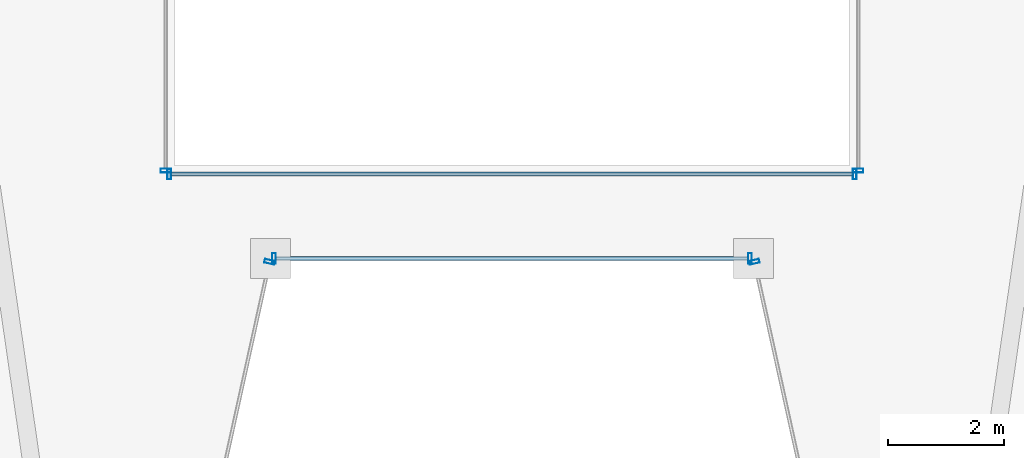
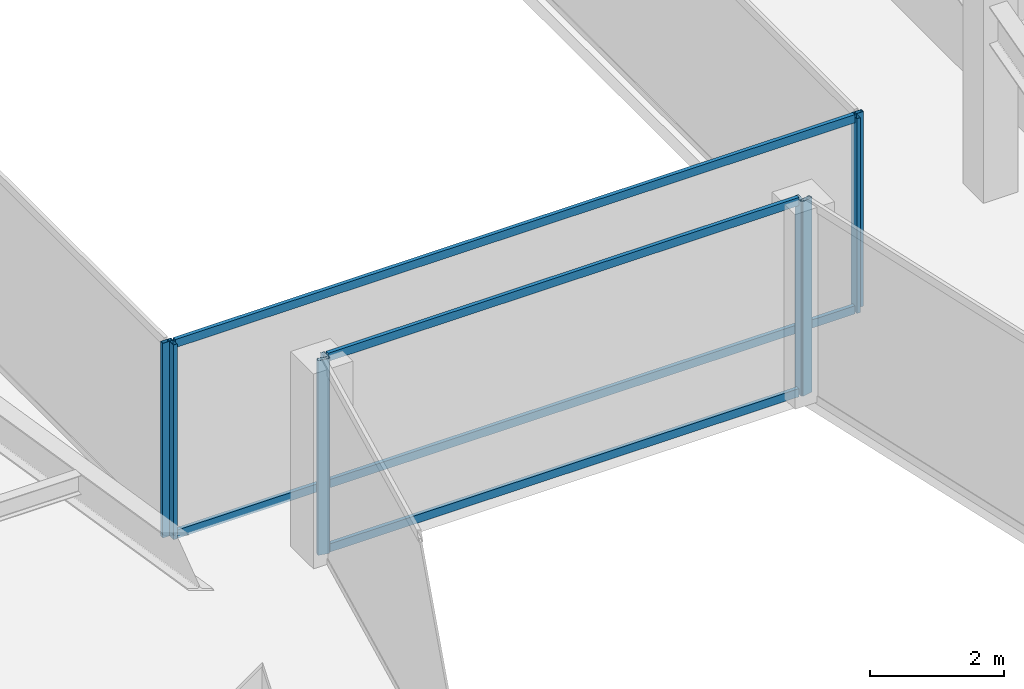
# One storey, part 7 of 37: 12 members, 6 elements without a shape of their own.
"""IFC4 building model written with IfcOpenShell, lengths in metres."""

from ifc_helpers import new_model, si_unit, direction, frame, origin, origin_2d, place, context, subcontext, project, spatial, hollow_rectangle, extrude, material, material_profile, profile_set, type_object, element, aggregate, save


model = new_model("IFC4")

# Units and contexts
model_context = context("Model", 3, precision=1e-05, world=origin(), true_north=direction((0.0, 1.0)))
body_context = subcontext(model_context, "Body", "Model", "MODEL_VIEW")
ifc_project = project(units=[si_unit("LENGTHUNIT", "METRE"), si_unit("AREAUNIT", "SQUARE_METRE"), si_unit("VOLUMEUNIT", "CUBIC_METRE"), si_unit("PLANEANGLEUNIT", "RADIAN"), si_unit("MASSUNIT", "GRAM", prefix="KILO")], contexts=[model_context])

# Site, building, storey
site_placement = place(None, origin())
site = spatial("IfcSite", under=ifc_project, at=site_placement, CompositionType="ELEMENT")
building_placement = place(site_placement, origin())
building = spatial("IfcBuilding", under=site, at=building_placement, Name="Saevonmaru Cultural Tower", CompositionType="ELEMENT")
storey_placement = place(building_placement, frame((0.0, 0.0, 144.800048828125)))
storey = spatial("IfcBuildingStorey", under=building, at=storey_placement, Name="L31", CompositionType="ELEMENT", Elevation=144.800048828125)

# Curtain wall, member
ifc_material = material(Name="Satin Bronze Anodised Aluminium", Category="aluminium")
curtain_wall_type_1 = type_object("IfcCurtainWallType", Name="CW-TYP-A", PredefinedType="NOTDEFINED", material=ifc_material)
curtain_wall_1_placement = place(storey_placement, origin())
curtain_wall_1 = element("IfcCurtainWall", 1, at=curtain_wall_1_placement, inside=storey, type_object=curtain_wall_type_1, Name="L31 Unitised Curtain Wall E3", PredefinedType="NOTDEFINED")
ifc_material_profile_1 = material_profile(ifc_material, hollow_rectangle(XDim=0.06494140625, YDim=0.179931640625, WallThickness=0.00390625, at=origin_2d()), Name="ALU-MULL-180x65x4")
ifc_profile_set_1 = profile_set([ifc_material_profile_1], Name="Satin Bronze Anodised Aluminium")
member_type_1 = type_object("IfcMemberType", Name="ML-CW-180x65", PredefinedType="MULLION", material=ifc_profile_set_1)
member_1_placement = place(storey_placement, frame((25.8359375, 20.741455078125, 0.0), z_axis=(0.0, 0.0, 1.0), x_axis=(0.215413319953, 0.976522965212, 0.0)))
member_1 = element("IfcMember", 2, at=member_1_placement, type_object=member_type_1, Name="CW-TW-L31-E3 mullion 2", PredefinedType="MULLION", context=body_context, shape_type="SweptSolid", body=[
    extrude(hollow_rectangle(XDim=0.06494140625, YDim=0.179931640625, WallThickness=0.00390625, at=origin_2d()), origin(), (0.0, 0.0, 1.0), 3.550048828125),
])
aggregate(curtain_wall_1, [member_1])

# Curtain wall, members
curtain_wall_2_placement = place(storey_placement, origin())
curtain_wall_2 = element("IfcCurtainWall", 3, at=curtain_wall_2_placement, inside=storey, type_object=curtain_wall_type_1, Name="L31 Unitised Curtain Wall E4", PredefinedType="NOTDEFINED")
member_2_placement = place(storey_placement, frame((25.908935546875, 20.800048828125, 0.0), z_axis=(0.0, 0.0, 1.0), x_axis=(1.0, 0.0, 0.0)))
member_2 = element("IfcMember", 4, at=member_2_placement, type_object=member_type_1, Name="CW-TW-L31-E4 mullion 1", PredefinedType="MULLION", context=body_context, shape_type="SweptSolid", body=[
    extrude(hollow_rectangle(XDim=0.06494140625, YDim=0.179931640625, WallThickness=0.00390625, at=origin_2d()), origin(), (0.0, 0.0, 1.0), 3.550048828125),
])
member_3_placement = place(storey_placement, frame((34.091064453125, 20.800048828125, 0.0), z_axis=(0.0, 0.0, 1.0), x_axis=(1.0, 0.0, 0.0)))
member_3 = element("IfcMember", 5, at=member_3_placement, type_object=member_type_1, Name="CW-TW-L31-E4 mullion 2", PredefinedType="MULLION", context=body_context, shape_type="SweptSolid", body=[
    extrude(hollow_rectangle(XDim=0.06494140625, YDim=0.179931640625, WallThickness=0.00390625, at=origin_2d()), origin(), (0.0, 0.0, 1.0), 3.550048828125),
])

# Curtain wall, member
curtain_wall_3_placement = place(storey_placement, origin())
curtain_wall_3 = element("IfcCurtainWall", 6, at=curtain_wall_3_placement, inside=storey, type_object=curtain_wall_type_1, Name="L31 Unitised Curtain Wall E5", PredefinedType="NOTDEFINED")
member_4_placement = place(storey_placement, frame((34.1640625, 20.741455078125, 0.0), z_axis=(0.0, 0.0, 1.0), x_axis=(0.215413319953, -0.976522965212, 0.0)))
member_4 = element("IfcMember", 7, at=member_4_placement, type_object=member_type_1, Name="CW-TW-L31-E5 mullion 1", PredefinedType="MULLION", context=body_context, shape_type="SweptSolid", body=[
    extrude(hollow_rectangle(XDim=0.06494140625, YDim=0.179931640625, WallThickness=0.00390625, at=origin_2d()), origin(), (0.0, 0.0, 1.0), 3.550048828125),
])
aggregate(curtain_wall_3, [member_4])

# Curtain wall, members
curtain_wall_type_2 = type_object("IfcCurtainWallType", Name="CW-ATR-GLZ", PredefinedType="NOTDEFINED", material=ifc_material)
curtain_wall_4_placement = place(storey_placement, origin())
curtain_wall_4 = element("IfcCurtainWall", 8, at=curtain_wall_4_placement, inside=storey, type_object=curtain_wall_type_2, Name="L31 Vertical Atrium Glazed Smoke Screen 1", PredefinedType="NOTDEFINED")
ifc_material_profile_2 = material_profile(ifc_material, hollow_rectangle(XDim=0.06494140625, YDim=0.179931640625, WallThickness=0.00390625, at=origin_2d()), Name="ALU-MULL-180x65x4")
ifc_profile_set_2 = profile_set([ifc_material_profile_2], Name="Satin Bronze Anodised Aluminium")
member_type_2 = type_object("IfcMemberType", Name="ML-CW-INT-180x65", PredefinedType="MULLION", material=ifc_profile_set_2)
member_5_placement = place(storey_placement, frame((24.110107421875, 22.25, 0.0), z_axis=(0.0, 0.0, 1.0), x_axis=(1.0, 0.0, 0.0)))
member_5 = element("IfcMember", 9, at=member_5_placement, type_object=member_type_2, Name="CW-ATR-L31-1 mullion 1", PredefinedType="MULLION", context=body_context, shape_type="SweptSolid", body=[
    extrude(hollow_rectangle(XDim=0.06494140625, YDim=0.179931640625, WallThickness=0.00390625, at=origin_2d()), origin(), (0.0, 0.0, 1.0), 3.550048828125),
])
member_6_placement = place(storey_placement, frame((35.889892578125, 22.25, 0.0), z_axis=(0.0, 0.0, 1.0), x_axis=(1.0, 0.0, 0.0)))
member_6 = element("IfcMember", 10, at=member_6_placement, type_object=member_type_2, Name="CW-ATR-L31-1 mullion 2", PredefinedType="MULLION", context=body_context, shape_type="SweptSolid", body=[
    extrude(hollow_rectangle(XDim=0.06494140625, YDim=0.179931640625, WallThickness=0.00390625, at=origin_2d()), origin(), (0.0, 0.0, 1.0), 3.550048828125),
])

# Curtain wall, member
curtain_wall_5_placement = place(storey_placement, origin())
curtain_wall_5 = element("IfcCurtainWall", 11, at=curtain_wall_5_placement, inside=storey, type_object=curtain_wall_type_2, Name="L31 Vertical Atrium Glazed Smoke Screen 2", PredefinedType="NOTDEFINED")
member_7_placement = place(storey_placement, frame((35.949951171875, 22.31005859375, 0.0), z_axis=(0.0, 0.0, 1.0), x_axis=(0.0, 1.0, 0.0)))
member_7 = element("IfcMember", 12, at=member_7_placement, type_object=member_type_2, Name="CW-ATR-L31-2 mullion 1", PredefinedType="MULLION", context=body_context, shape_type="SweptSolid", body=[
    extrude(hollow_rectangle(XDim=0.06494140625, YDim=0.179931640625, WallThickness=0.00390625, at=origin_2d()), origin(), (0.0, 0.0, 1.0), 3.550048828125),
])
aggregate(curtain_wall_5, [member_7])

curtain_wall_6_placement = place(storey_placement, origin())
curtain_wall_6 = element("IfcCurtainWall", 13, at=curtain_wall_6_placement, inside=storey, type_object=curtain_wall_type_2, Name="L31 Vertical Atrium Glazed Smoke Screen 4", PredefinedType="NOTDEFINED")
member_8_placement = place(storey_placement, frame((24.050048828125, 22.31005859375, 0.0), z_axis=(0.0, 0.0, 1.0), x_axis=(0.0, -1.0, 0.0)))
member_8 = element("IfcMember", 14, at=member_8_placement, type_object=member_type_2, Name="CW-ATR-L31-4 mullion 2", PredefinedType="MULLION", context=body_context, shape_type="SweptSolid", body=[
    extrude(hollow_rectangle(XDim=0.06494140625, YDim=0.179931640625, WallThickness=0.00390625, at=origin_2d()), origin(), (0.0, 0.0, 1.0), 3.550048828125),
])
aggregate(curtain_wall_6, [member_8])

# Member
ifc_material_profile_3 = material_profile(ifc_material, hollow_rectangle(XDim=0.06494140625, YDim=0.14990234375, WallThickness=0.00390625, at=origin_2d()), Name="ALU-TRAN-150x65x4")
ifc_profile_set_3 = profile_set([ifc_material_profile_3], Name="Satin Bronze Anodised Aluminium")
member_type_3 = type_object("IfcMemberType", Name="TR-CW-150x65", PredefinedType="USERDEFINED", material=ifc_profile_set_3)
member_9_placement = place(storey_placement, frame((25.94140625, 20.800048828125, 0.032470703125), z_axis=(1.0, 0.0, 0.0), x_axis=(0.0, 1.0, 0.0)))
member_9 = element("IfcMember", 15, at=member_9_placement, type_object=member_type_3, Name="CW-TW-L31-E4 transom 1.1", ObjectType="TRANSOM", PredefinedType="USERDEFINED", context=body_context, shape_type="SweptSolid", body=[
    extrude(hollow_rectangle(XDim=0.06494140625, YDim=0.14990234375, WallThickness=0.00390625, at=origin_2d()), origin(), (0.0, 0.0, 1.0), 8.1171875),
])

member_10_placement = place(storey_placement, frame((25.94140625, 20.800048828125, 3.517333984375), z_axis=(1.0, 0.0, 0.0), x_axis=(0.0, 1.0, 0.0)))
member_10 = element("IfcMember", 16, at=member_10_placement, type_object=member_type_3, Name="CW-TW-L31-E4 transom 1.2", ObjectType="TRANSOM", PredefinedType="USERDEFINED", context=body_context, shape_type="SweptSolid", body=[
    extrude(hollow_rectangle(XDim=0.06494140625, YDim=0.14990234375, WallThickness=0.00390625, at=origin_2d()), origin(), (0.0, 0.0, 1.0), 8.1171875),
])

aggregate(curtain_wall_2, [member_2, member_3, member_9, member_10])

ifc_material_profile_4 = material_profile(ifc_material, hollow_rectangle(XDim=0.06494140625, YDim=0.14990234375, WallThickness=0.00390625, at=origin_2d()), Name="ALU-TRAN-150x65x4")
ifc_profile_set_4 = profile_set([ifc_material_profile_4], Name="Satin Bronze Anodised Aluminium")
member_type_4 = type_object("IfcMemberType", Name="TR-CW-INT-150x65", PredefinedType="USERDEFINED", material=ifc_profile_set_4)
member_11_placement = place(storey_placement, frame((24.142578125, 22.25, 0.032470703125), z_axis=(1.0, 0.0, 0.0), x_axis=(0.0, 1.0, 0.0)))
member_11 = element("IfcMember", 17, at=member_11_placement, type_object=member_type_4, Name="CW-ATR-L31-1 transom 1.1", ObjectType="TRANSOM", PredefinedType="USERDEFINED", context=body_context, shape_type="SweptSolid", body=[
    extrude(hollow_rectangle(XDim=0.06494140625, YDim=0.14990234375, WallThickness=0.00390625, at=origin_2d()), origin(), (0.0, 0.0, 1.0), 11.71484375),
])

member_12_placement = place(storey_placement, frame((24.142578125, 22.25, 3.517333984375), z_axis=(1.0, 0.0, 0.0), x_axis=(0.0, 1.0, 0.0)))
member_12 = element("IfcMember", 18, at=member_12_placement, type_object=member_type_4, Name="CW-ATR-L31-1 transom 1.2", ObjectType="TRANSOM", PredefinedType="USERDEFINED", context=body_context, shape_type="SweptSolid", body=[
    extrude(hollow_rectangle(XDim=0.06494140625, YDim=0.14990234375, WallThickness=0.00390625, at=origin_2d()), origin(), (0.0, 0.0, 1.0), 11.71484375),
])

aggregate(curtain_wall_4, [member_5, member_6, member_11, member_12])

save(model, "model.ifc")
